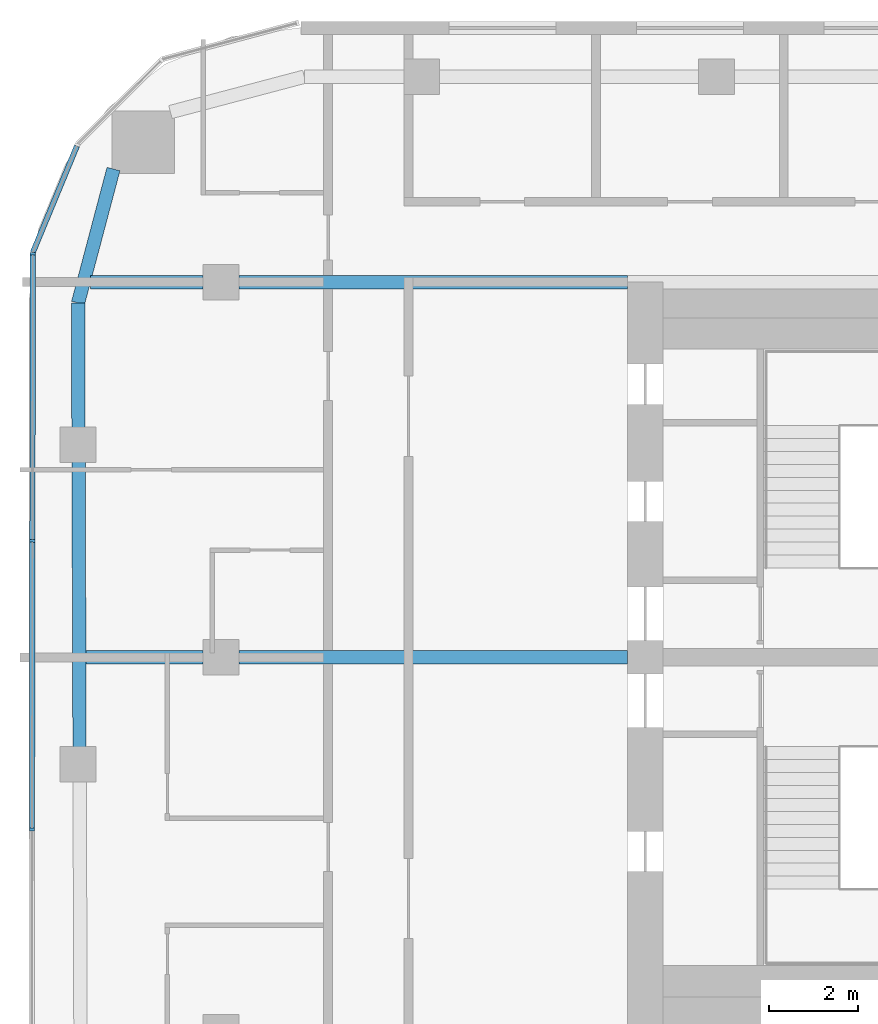
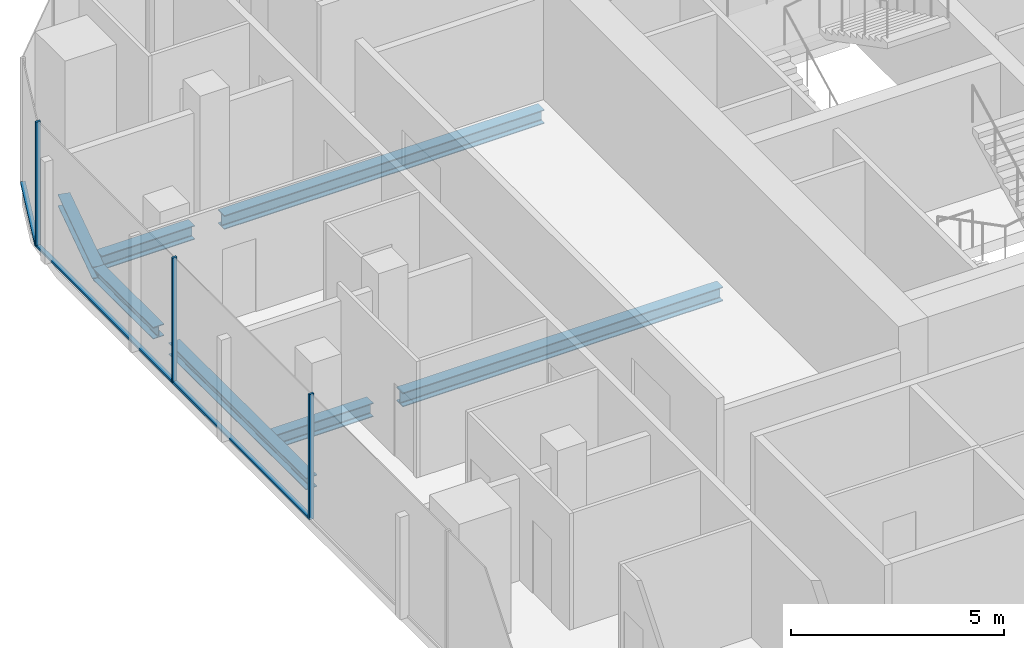
# One storey, part 8 of 21: 7 beams, 6 members, 2 elements without a shape of their own.
"""IFC4 building model written with IfcOpenShell, lengths in metres."""

from ifc_helpers import new_model, si_unit, direction, frame, origin, origin_2d, place, context, subcontext, project, spatial, rectangle, i_section, extrude, material, layer, layer_set, material_profile, profile_set, type_object, element, aggregate, save


model = new_model("IFC4")

# Units and contexts
model_context = context("Model", 3, precision=1e-05, world=origin(), true_north=direction((0.0, 1.0)))
body_context = subcontext(model_context, "Body", "Model", "MODEL_VIEW")
ifc_project = project(units=[si_unit("LENGTHUNIT", "METRE"), si_unit("AREAUNIT", "SQUARE_METRE"), si_unit("VOLUMEUNIT", "CUBIC_METRE"), si_unit("PLANEANGLEUNIT", "RADIAN"), si_unit("MASSUNIT", "GRAM", prefix="KILO")], contexts=[model_context])

# Site, building, storey
site_placement = place(None, origin())
site = spatial("IfcSite", under=ifc_project, at=site_placement, CompositionType="ELEMENT")
building_placement = place(site_placement, origin())
building = spatial("IfcBuilding", under=site, at=building_placement, Name="Marenta Gate Hotel Tower", CompositionType="ELEMENT")
storey_placement = place(building_placement, frame((0.0, 0.0, 202.10009765625)))
storey = spatial("IfcBuildingStorey", under=building, at=storey_placement, Name="L46", CompositionType="ELEMENT", Elevation=202.10009765625)

# Beams
ifc_material_1 = material(Name="Steel S355", Category="steel")
ifc_material_profile_1 = material_profile(ifc_material_1, i_section(OverallWidth=0.300048828125, OverallDepth=0.340087890625, WebThickness=0.011962890625, FlangeThickness=0.021484375, FilletRadius=0.027099609375, at=origin_2d()), Name="HEB 340")
ifc_profile_set_1 = profile_set([ifc_material_profile_1], Name="Steel S355")
beam_type_1 = type_object("IfcBeamType", Name="Edge beam HEB 340", PredefinedType="SPANDREL", material=ifc_profile_set_1)
beam_1_placement = place(storey_placement, frame((-24.166748046875, 6.36328125, -0.43017578125), z_axis=(-0.00333963982, 0.999994423387, 0.0), x_axis=(-0.999994423387, -0.00333963982, 0.0)))
element("IfcBeam", 1, at=beam_1_placement, inside=storey, type_object=beam_type_1, Name="L46-EB-9", PredefinedType="SPANDREL", context=body_context, shape_type="SweptSolid", body=[
    extrude(i_section(OverallWidth=0.300048828125, OverallDepth=0.340087890625, WebThickness=0.011962890625, FlangeThickness=0.021484375, FilletRadius=0.027099609375, at=origin_2d()), origin(), (0.0, 0.0, 1.0), 6.43310546875),
])
beam_2_placement = place(storey_placement, frame((-24.190673828125, 13.516357421875, -0.43017578125), z_axis=(-0.003292020626, 0.999994581285, 0.0), x_axis=(-0.999994581285, -0.003292020626, 0.0)))
element("IfcBeam", 2, at=beam_2_placement, inside=storey, type_object=beam_type_1, Name="L46-EB-10", PredefinedType="SPANDREL", context=body_context, shape_type="SweptSolid", body=[
    extrude(i_section(OverallWidth=0.300048828125, OverallDepth=0.340087890625, WebThickness=0.011962890625, FlangeThickness=0.021484375, FilletRadius=0.027099609375, at=origin_2d()), origin(), (0.0, 0.0, 1.0), 2.818115234375),
])
beam_3_placement = place(storey_placement, frame((-24.199951171875, 16.33447265625, -0.43017578125), z_axis=(0.255648013319, 0.966769927794, 0.0), x_axis=(-0.966769927794, 0.255648013319, 0.0)))
element("IfcBeam", 3, at=beam_3_placement, inside=storey, type_object=beam_type_1, Name="L46-EB-11", PredefinedType="SPANDREL", context=body_context, shape_type="SweptSolid", body=[
    extrude(i_section(OverallWidth=0.300048828125, OverallDepth=0.340087890625, WebThickness=0.011962890625, FlangeThickness=0.021484375, FilletRadius=0.027099609375, at=origin_2d()), origin(), (0.0, 0.0, 1.0), 3.100830078125),
])
ifc_material_2 = material(Name="Steel S355", Category="steel")
ifc_material_profile_2 = material_profile(ifc_material_2, i_section(OverallWidth=0.300048828125, OverallDepth=0.39990234375, WebThickness=0.013427734375, FlangeThickness=0.02392578125, FilletRadius=0.027099609375, at=origin_2d()), Name="HEB 400")
ifc_profile_set_2 = profile_set([ifc_material_profile_2], Name="Steel S355")
beam_type_2 = type_object("IfcBeamType", Name="Girder HEB 400", PredefinedType="BEAM", material=ifc_profile_set_2)
beam_4_placement = place(storey_placement, frame((-24.023681640625, 8.39990234375, -0.460205078125), z_axis=(1.0, 0.0, 0.0), x_axis=(0.0, 1.0, 0.0)))
element("IfcBeam", 4, at=beam_4_placement, inside=storey, type_object=beam_type_2, Name="L46-GD-25", PredefinedType="BEAM", context=body_context, shape_type="SweptSolid", body=[
    extrude(i_section(OverallWidth=0.300048828125, OverallDepth=0.39990234375, WebThickness=0.013427734375, FlangeThickness=0.02392578125, FilletRadius=0.027099609375, at=origin_2d()), origin(), (0.0, 0.0, 1.0), 2.623779296875),
])
beam_5_placement = place(storey_placement, frame((-20.60009765625, 8.39990234375, -0.460205078125), z_axis=(1.0, 0.0, 0.0), x_axis=(0.0, 1.0, 0.0)))
element("IfcBeam", 5, at=beam_5_placement, inside=storey, type_object=beam_type_2, Name="L46-GD-26", PredefinedType="BEAM", context=body_context, shape_type="SweptSolid", body=[
    extrude(i_section(OverallWidth=0.300048828125, OverallDepth=0.39990234375, WebThickness=0.013427734375, FlangeThickness=0.02392578125, FilletRadius=0.027099609375, at=origin_2d()), origin(), (0.0, 0.0, 1.0), 8.7001953125),
])
beam_6_placement = place(storey_placement, frame((-23.921630859375, 16.800048828125, -0.460205078125), z_axis=(1.0, 0.0, 0.0), x_axis=(0.0, 1.0, 0.0)))
element("IfcBeam", 6, at=beam_6_placement, inside=storey, type_object=beam_type_2, Name="L46-GD-29", PredefinedType="BEAM", context=body_context, shape_type="SweptSolid", body=[
    extrude(i_section(OverallWidth=0.300048828125, OverallDepth=0.39990234375, WebThickness=0.013427734375, FlangeThickness=0.02392578125, FilletRadius=0.027099609375, at=origin_2d()), origin(), (0.0, 0.0, 1.0), 2.521728515625),
])
beam_7_placement = place(storey_placement, frame((-20.60009765625, 16.800048828125, -0.460205078125), z_axis=(1.0, 0.0, 0.0), x_axis=(0.0, 1.0, 0.0)))
element("IfcBeam", 7, at=beam_7_placement, inside=storey, type_object=beam_type_2, Name="L46-GD-30", PredefinedType="BEAM", context=body_context, shape_type="SweptSolid", body=[
    extrude(i_section(OverallWidth=0.300048828125, OverallDepth=0.39990234375, WebThickness=0.013427734375, FlangeThickness=0.02392578125, FilletRadius=0.027099609375, at=origin_2d()), origin(), (0.0, 0.0, 1.0), 8.7001953125),
])

# Curtain wall, members
ifc_material_3 = material(Name="Tinted insulated glass in bronze anodised frame", Category="glass")
ifc_layer = layer(ifc_material_3, 0.1201171875)
ifc_layer_set = layer_set([ifc_layer], Name="Tinted insulated glass in bronze anodised frame")
curtain_wall_type = type_object("IfcCurtainWallType", Name="Tower unitised curtain wall CW1", PredefinedType="NOTDEFINED", material=ifc_layer_set)
curtain_wall_1_placement = place(storey_placement, origin())
curtain_wall_1 = element("IfcCurtainWall", 8, at=curtain_wall_1_placement, inside=storey, type_object=curtain_wall_type, Name="CW1 run G03", PredefinedType="NOTDEFINED")
ifc_material_4 = material(Name="Bronze anodised aluminium", Category="aluminium")
ifc_material_profile_3 = material_profile(ifc_material_4, rectangle(XDim=0.1201171875, YDim=0.06005859375, at=origin_2d()), Name="Mullion CW1 60x120 bronze anodised aluminium")
ifc_profile_set_3 = profile_set([ifc_material_profile_3], Name="Bronze anodised aluminium")
member_type_1 = type_object("IfcMemberType", Name="Mullion CW1 60x120 bronze anodised aluminium", PredefinedType="MULLION", material=ifc_profile_set_3)
member_1_placement = place(storey_placement, frame((-25.21240234375, 17.436279296875, 0.0), z_axis=(0.0, 0.0, 1.0), x_axis=(0.99999877375, -0.001566045546, 0.0)))
member_1 = element("IfcMember", 9, at=member_1_placement, type_object=member_type_1, Name="CW1 mullion 1", PredefinedType="MULLION", context=body_context, shape_type="SweptSolid", body=[
    extrude(rectangle(XDim=0.1201171875, YDim=0.06005859375, at=origin_2d()), origin(), (0.0, 0.0, 1.0), 3.599853515625),
])
member_2_placement = place(storey_placement, frame((-25.222412109375, 11.006103515625, 0.0), z_axis=(0.0, 0.0, 1.0), x_axis=(0.99999877375, -0.001566045546, 0.0)))
member_2 = element("IfcMember", 10, at=member_2_placement, type_object=member_type_1, Name="CW1 mullion 2", PredefinedType="MULLION", context=body_context, shape_type="SweptSolid", body=[
    extrude(rectangle(XDim=0.1201171875, YDim=0.06005859375, at=origin_2d()), origin(), (0.0, 0.0, 1.0), 3.599853515625),
])
member_3_placement = place(storey_placement, frame((-25.232421875, 4.546142578125, 0.0), z_axis=(0.0, 0.0, 1.0), x_axis=(0.99999877375, -0.001566045546, 0.0)))
member_3 = element("IfcMember", 11, at=member_3_placement, type_object=member_type_1, Name="CW1 mullion 3", PredefinedType="MULLION", context=body_context, shape_type="SweptSolid", body=[
    extrude(rectangle(XDim=0.1201171875, YDim=0.06005859375, at=origin_2d()), origin(), (0.0, 0.0, 1.0), 3.599853515625),
])

# Curtain wall, member
curtain_wall_2_placement = place(storey_placement, origin())
curtain_wall_2 = element("IfcCurtainWall", 12, at=curtain_wall_2_placement, inside=storey, type_object=curtain_wall_type, Name="CW1 run G02", PredefinedType="NOTDEFINED")
ifc_material_5 = material(Name="Bronze anodised aluminium", Category="aluminium")
ifc_material_profile_4 = material_profile(ifc_material_5, rectangle(XDim=0.1201171875, YDim=0.06005859375, at=origin_2d()), Name="Transom CW1 60x120 bronze anodised aluminium")
ifc_profile_set_4 = profile_set([ifc_material_profile_4], Name="Bronze anodised aluminium")
member_type_2 = type_object("IfcMemberType", Name="Transom CW1 60x120 bronze anodised aluminium", PredefinedType="USERDEFINED", material=ifc_profile_set_4)
member_4_placement = place(storey_placement, frame((-24.2265625, 19.845947265625, 0.02978515625), z_axis=(-0.382736860682, -0.923857399968, 0.0), x_axis=(0.923857399968, -0.382736860682, 0.0)))
member_4 = element("IfcMember", 13, at=member_4_placement, type_object=member_type_2, Name="CW1 transom 1.1", ObjectType="TRANSOM", PredefinedType="USERDEFINED", context=body_context, shape_type="SweptSolid", body=[
    extrude(rectangle(XDim=0.1201171875, YDim=0.06005859375, at=origin_2d()), origin(), (0.0, 0.0, 1.0), 2.57568359375),
])
aggregate(curtain_wall_2, [member_4])

# Member
member_5_placement = place(storey_placement, frame((-25.21240234375, 17.40625, 0.02978515625), z_axis=(-0.00157136093, -0.999998765412, 0.0), x_axis=(0.999998765412, -0.00157136093, 0.0)))
member_5 = element("IfcMember", 14, at=member_5_placement, type_object=member_type_2, Name="CW1 transom 1.1", ObjectType="TRANSOM", PredefinedType="USERDEFINED", context=body_context, shape_type="SweptSolid", body=[
    extrude(rectangle(XDim=0.1201171875, YDim=0.06005859375, at=origin_2d()), origin(), (0.0, 0.0, 1.0), 6.3701171875),
])

member_6_placement = place(storey_placement, frame((-25.222412109375, 10.976318359375, 0.02978515625), z_axis=(-0.001563988169, -0.99999877697, 0.0), x_axis=(0.99999877697, -0.001563988169, 0.0)))
member_6 = element("IfcMember", 15, at=member_6_placement, type_object=member_type_2, Name="CW1 transom 2.1", ObjectType="TRANSOM", PredefinedType="USERDEFINED", context=body_context, shape_type="SweptSolid", body=[
    extrude(rectangle(XDim=0.1201171875, YDim=0.06005859375, at=origin_2d()), origin(), (0.0, 0.0, 1.0), 6.400146484375),
])

aggregate(curtain_wall_1, [member_1, member_2, member_3, member_5, member_6])

save(model, "model.ifc")
